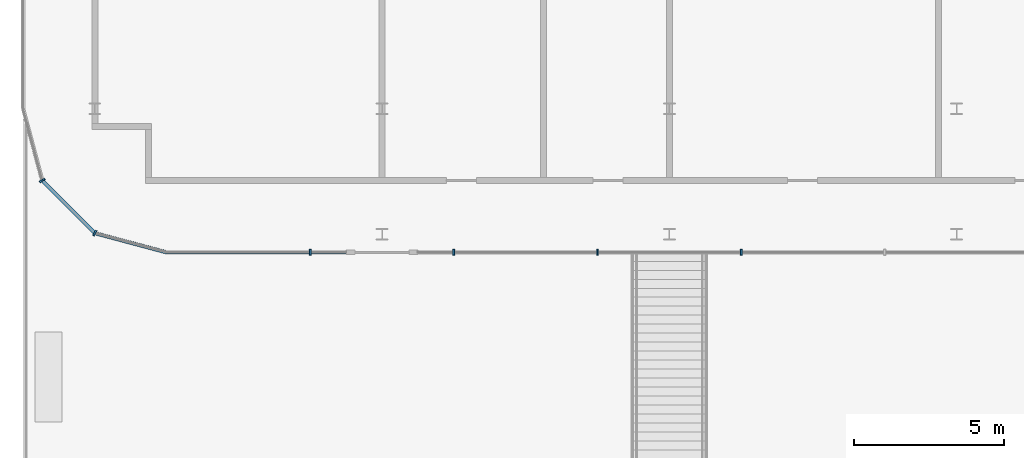
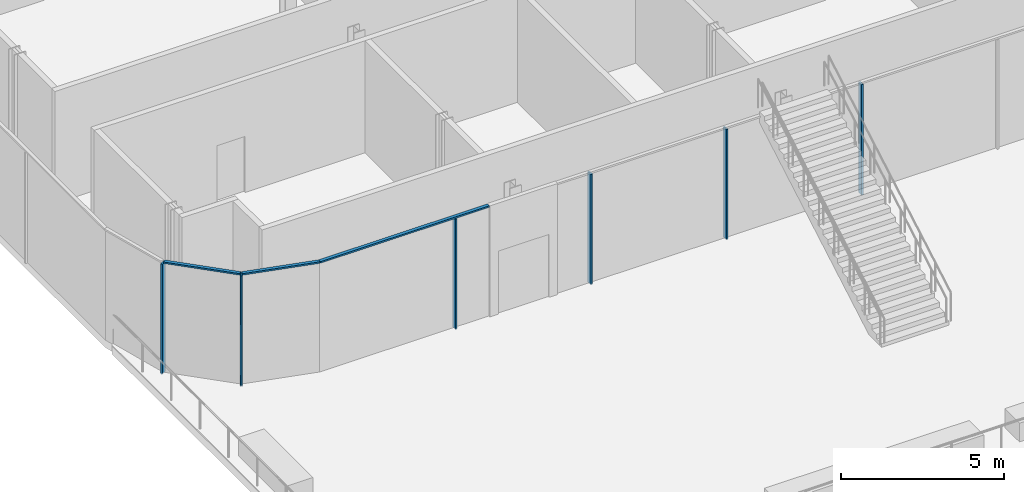
# One storey, part 6 of 43: 9 members, 2 elements without a shape of their own.
"""IFC4 building model written with IfcOpenShell, lengths in metres."""

from ifc_helpers import new_model, si_unit, direction, frame, origin, origin_2d, place, context, subcontext, project, spatial, rectangle, extrude, material, layer, layer_set, material_profile, profile_set, type_object, element, aggregate, save


model = new_model("IFC4")

# Units and contexts
model_context = context("Model", 3, precision=1e-05, world=origin(), true_north=direction((0.0, 1.0)))
body_context = subcontext(model_context, "Body", "Model", "MODEL_VIEW")
ifc_project = project(units=[si_unit("LENGTHUNIT", "METRE"), si_unit("AREAUNIT", "SQUARE_METRE"), si_unit("VOLUMEUNIT", "CUBIC_METRE"), si_unit("PLANEANGLEUNIT", "RADIAN"), si_unit("MASSUNIT", "GRAM", prefix="KILO")], contexts=[model_context])

# Site, building, storey
site_placement = place(None, origin())
site = spatial("IfcSite", under=ifc_project, at=site_placement, CompositionType="ELEMENT")
building_placement = place(site_placement, origin())
building = spatial("IfcBuilding", under=site, at=building_placement, Name="Madar Terraces", CompositionType="ELEMENT")
storey_placement = place(building_placement, frame((0.0, 0.0, 10.5)))
storey = spatial("IfcBuildingStorey", under=building, at=storey_placement, Name="L02", CompositionType="ELEMENT", Elevation=10.5)

# Curtain wall, members
ifc_material_1 = material(Name="Glass, clear low-iron, with black aluminium frame", Category="aluminium")
ifc_layer = layer(ifc_material_1, 0.199951171875)
ifc_layer_set = layer_set([ifc_layer], Name="Facade curtain wall, shopfront glazing")
curtain_wall_type = type_object("IfcCurtainWallType", Name="Facade curtain wall, shopfront glazing", PredefinedType="NOTDEFINED", material=ifc_layer_set)
curtain_wall_1_placement = place(storey_placement, origin())
curtain_wall_1 = element("IfcCurtainWall", 1, at=curtain_wall_1_placement, inside=storey, type_object=curtain_wall_type, Name="Outer skin curtain wall south bay 1", PredefinedType="NOTDEFINED")
ifc_material_2 = material(Name="Aluminium, black anodised", Category="aluminium")
ifc_material_profile_1 = material_profile(ifc_material_2, rectangle(XDim=0.199951171875, YDim=0.06005859375, at=origin_2d()), Name="Facade mullion 60x200")
ifc_profile_set_1 = profile_set([ifc_material_profile_1], Name="Aluminium, black anodised")
member_type_1 = type_object("IfcMemberType", Name="Facade mullion 60x200", PredefinedType="MULLION", material=ifc_profile_set_1)
member_1_placement = place(storey_placement, frame((2.39990234375, -24.0, 0.0), z_axis=(0.0, 0.0, 1.0), x_axis=(0.0, 1.0, 0.0)))
member_1 = element("IfcMember", 2, at=member_1_placement, type_object=member_type_1, Name="Mullion 1", PredefinedType="MULLION", context=body_context, shape_type="SweptSolid", body=[
    extrude(rectangle(XDim=0.199951171875, YDim=0.06005859375, at=origin_2d()), origin(), (0.0, 0.0, 1.0), 4.139892578125),
])
member_2_placement = place(storey_placement, frame((7.199951171875, -24.0, 0.0), z_axis=(0.0, 0.0, 1.0), x_axis=(0.0, 1.0, 0.0)))
member_2 = element("IfcMember", 3, at=member_2_placement, type_object=member_type_1, Name="Mullion 2", PredefinedType="MULLION", context=body_context, shape_type="SweptSolid", body=[
    extrude(rectangle(XDim=0.199951171875, YDim=0.06005859375, at=origin_2d()), origin(), (0.0, 0.0, 1.0), 4.139892578125),
])
member_3_placement = place(storey_placement, frame((12.0, -24.0, 0.0), z_axis=(0.0, 0.0, 1.0), x_axis=(0.0, 1.0, 0.0)))
member_3 = element("IfcMember", 4, at=member_3_placement, type_object=member_type_1, Name="Mullion 3", PredefinedType="MULLION", context=body_context, shape_type="SweptSolid", body=[
    extrude(rectangle(XDim=0.199951171875, YDim=0.06005859375, at=origin_2d()), origin(), (0.0, 0.0, 1.0), 4.139892578125),
])
member_4_placement = place(storey_placement, frame((16.800048828125, -24.0, 0.0), z_axis=(0.0, 0.0, 1.0), x_axis=(0.0, 1.0, 0.0)))
member_4 = element("IfcMember", 5, at=member_4_placement, type_object=member_type_1, Name="Mullion 4", PredefinedType="MULLION", context=body_context, shape_type="SweptSolid", body=[
    extrude(rectangle(XDim=0.199951171875, YDim=0.06005859375, at=origin_2d()), origin(), (0.0, 0.0, 1.0), 4.139892578125),
])

curtain_wall_2_placement = place(storey_placement, origin())
curtain_wall_2 = element("IfcCurtainWall", 6, at=curtain_wall_2_placement, inside=storey, type_object=curtain_wall_type, Name="Outer skin curtain wall south-west corner", PredefinedType="NOTDEFINED")
member_5_placement = place(storey_placement, frame((-6.556884765625, -21.60009765625, 0.0), z_axis=(0.0, 0.0, 1.0), x_axis=(0.866025409797, 0.499999989586, 0.0)))
member_5 = element("IfcMember", 7, at=member_5_placement, type_object=member_type_1, Name="Mullion 1", PredefinedType="MULLION", context=body_context, shape_type="SweptSolid", body=[
    extrude(rectangle(XDim=0.199951171875, YDim=0.06005859375, at=origin_2d()), origin(), (0.0, 0.0, 1.0), 4.139892578125),
])
member_6_placement = place(storey_placement, frame((-4.800048828125, -23.35693359375, 0.0), z_axis=(0.0, 0.0, 1.0), x_axis=(0.499999989586, 0.866025409797, 0.0)))
member_6 = element("IfcMember", 8, at=member_6_placement, type_object=member_type_1, Name="Mullion 2", PredefinedType="MULLION", context=body_context, shape_type="SweptSolid", body=[
    extrude(rectangle(XDim=0.199951171875, YDim=0.06005859375, at=origin_2d()), origin(), (0.0, 0.0, 1.0), 4.139892578125),
])

# Member
ifc_material_3 = material(Name="Aluminium, black anodised", Category="aluminium")
ifc_material_profile_2 = material_profile(ifc_material_3, rectangle(XDim=0.1201171875, YDim=0.06005859375, at=origin_2d()), Name="Facade transom 60x120")
ifc_profile_set_2 = profile_set([ifc_material_profile_2], Name="Aluminium, black anodised")
member_type_2 = type_object("IfcMemberType", Name="Facade transom 60x120", PredefinedType="USERDEFINED", material=ifc_profile_set_2)
member_7_placement = place(storey_placement, frame((-2.39990234375, -24.0, 4.169921875), z_axis=(1.0, 0.0, 0.0), x_axis=(0.0, 1.0, 0.0)))
member_7 = element("IfcMember", 9, at=member_7_placement, type_object=member_type_2, Name="Transom 1", ObjectType="TRANSOM", PredefinedType="USERDEFINED", context=body_context, shape_type="SweptSolid", body=[
    extrude(rectangle(XDim=0.1201171875, YDim=0.06005859375, at=origin_2d()), origin(), (0.0, 0.0, 1.0), 6.0),
])

aggregate(curtain_wall_1, [member_1, member_7, member_2, member_3, member_4])

member_8_placement = place(storey_placement, frame((-6.53564453125, -21.62109375, 4.169921875), z_axis=(0.707056433593, -0.707157125196, 0.0), x_axis=(0.707157125196, 0.707056433593, 0.0)))
member_8 = element("IfcMember", 10, at=member_8_placement, type_object=member_type_2, Name="Transom 2", ObjectType="TRANSOM", PredefinedType="USERDEFINED", context=body_context, shape_type="SweptSolid", body=[
    extrude(rectangle(XDim=0.1201171875, YDim=0.06005859375, at=origin_2d()), origin(), (0.0, 0.0, 1.0), 2.424560546875),
])

member_9_placement = place(storey_placement, frame((-4.77099609375, -23.36474609375, 4.169921875), z_axis=(0.965933846022, -0.258789113195, 0.0), x_axis=(0.258789113195, 0.965933846022, 0.0)))
member_9 = element("IfcMember", 11, at=member_9_placement, type_object=member_type_2, Name="Transom 3", ObjectType="TRANSOM", PredefinedType="USERDEFINED", context=body_context, shape_type="SweptSolid", body=[
    extrude(rectangle(XDim=0.1201171875, YDim=0.06005859375, at=origin_2d()), origin(), (0.0, 0.0, 1.0), 2.454833984375),
])

aggregate(curtain_wall_2, [member_5, member_6, member_8, member_9])

save(model, "model.ifc")
